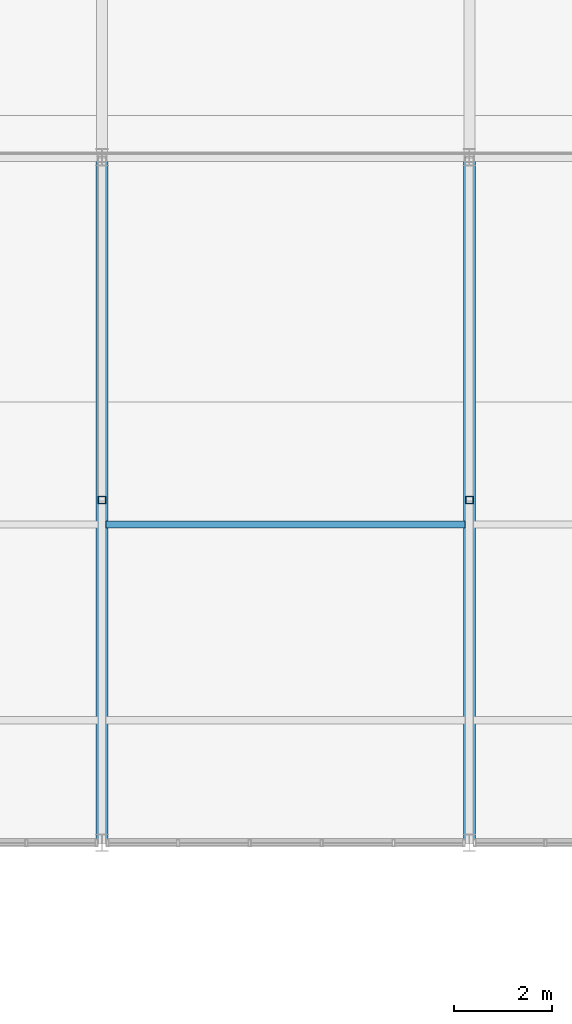
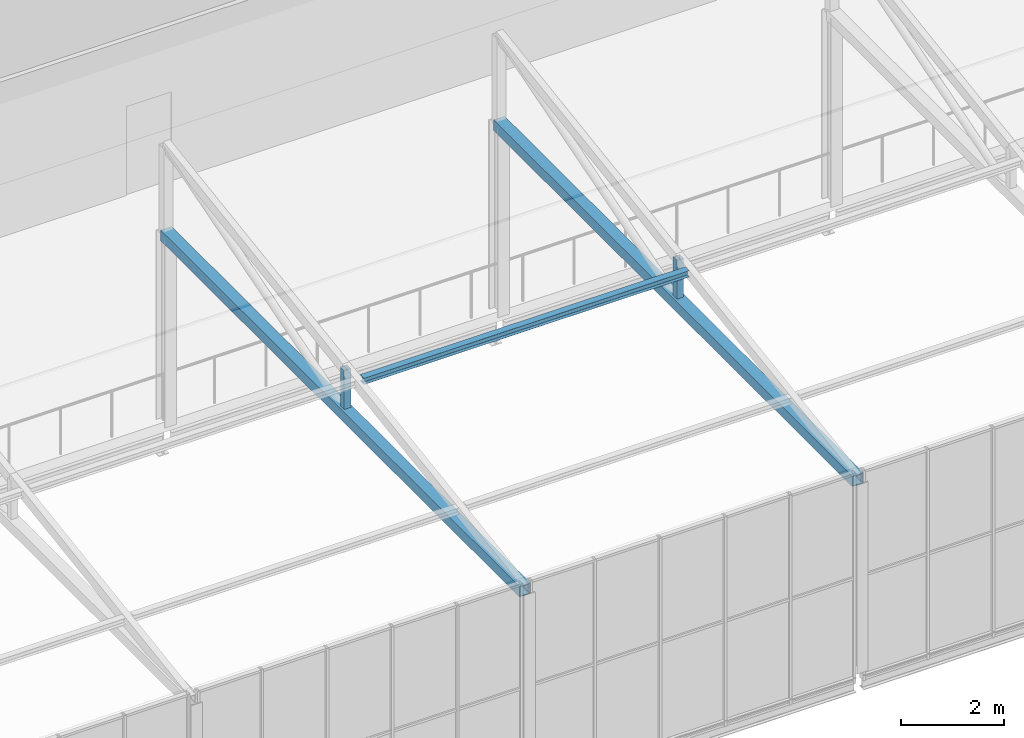
# One storey, part 36 of 104: 4 members, 1 beam.
"""IFC4 building model written with IfcOpenShell, lengths in metres."""

from ifc_helpers import new_model, si_unit, direction, frame, origin, origin_2d, place, context, subcontext, project, spatial, hollow_rectangle, i_section, extrude, material, material_profile, profile_set, type_object, element, save


model = new_model("IFC4")

# Units and contexts
model_context = context("Model", 3, precision=1e-05, world=origin(), true_north=direction((0.0, 1.0)))
body_context = subcontext(model_context, "Body", "Model", "MODEL_VIEW")
ifc_project = project(units=[si_unit("LENGTHUNIT", "METRE"), si_unit("AREAUNIT", "SQUARE_METRE"), si_unit("VOLUMEUNIT", "CUBIC_METRE"), si_unit("PLANEANGLEUNIT", "RADIAN"), si_unit("MASSUNIT", "GRAM", prefix="KILO")], contexts=[model_context])

# Site, building, storey
site_placement = place(None, origin())
site = spatial("IfcSite", under=ifc_project, at=site_placement, CompositionType="ELEMENT")
building_placement = place(site_placement, origin())
building = spatial("IfcBuilding", under=site, at=building_placement, Name="Solvenia Promenade Tram Depot", CompositionType="ELEMENT")
storey_placement = place(building_placement, frame((0.0, 0.0, 9.0)))
storey = spatial("IfcBuildingStorey", under=building, at=storey_placement, Name="L02", CompositionType="ELEMENT", Elevation=9.0)

# Members
ifc_material_1 = material(Name="Structural steel ASTM A500 Gr. C", Category="steel")
ifc_material_profile_1 = material_profile(ifc_material_1, hollow_rectangle(XDim=0.25, YDim=0.25, WallThickness=0.010009765625, at=origin_2d()), Name="HSS250x250x10", Category="steel")
ifc_profile_set_1 = profile_set([ifc_material_profile_1], Name="Structural steel ASTM A500 Gr. C")
member_type_1 = type_object("IfcMemberType", Name="Chord-HSS250x250x10", PredefinedType="CHORD", material=ifc_profile_set_1)
for number, where, z_axis, x_axis, name in (
    (1, (120.0, 24.0, 4.47998046875), (0.0, 1.0, 0.0), (-1.0, 0.0, 0.0), "Crane Hall Truss Bottom Tie 03"),
    (2, (127.5, 24.0, 4.47998046875), (0.0, 1.0, 0.0), (-1.0, 0.0, 0.0), "Crane Hall Truss Bottom Tie 04"),
):
    element("IfcMember", number, at=place(storey_placement, frame(where, z_axis=z_axis, x_axis=x_axis)), inside=storey, type_object=member_type_1, Name=name, PredefinedType="CHORD", context=body_context, shape_type="SweptSolid", body=[
        extrude(hollow_rectangle(XDim=0.25, YDim=0.25, WallThickness=0.010009765625, at=origin_2d()), origin(), (0.0, 0.0, 1.0), 14.0),
    ])
ifc_material_profile_2 = material_profile(ifc_material_1, hollow_rectangle(XDim=0.14990234375, YDim=0.14990234375, WallThickness=0.008056640625, at=origin_2d()), Name="HSS150x150x8", Category="steel")
ifc_profile_set_2 = profile_set([ifc_material_profile_2], Name="Structural steel ASTM A500 Gr. C")
member_type_2 = type_object("IfcMemberType", Name="Post-HSS150x150x8", PredefinedType="POST", material=ifc_profile_set_2)
for number, where, z_axis, x_axis, name in (
    (3, (120.0, 31.0, 4.47998046875), (0.0, 0.0, 1.0), (1.0, 0.0, 0.0), "Crane Hall Mid Web Post 03"),
    (4, (127.5, 31.0, 4.47998046875), (0.0, 0.0, 1.0), (1.0, 0.0, 0.0), "Crane Hall Mid Web Post 04"),
):
    element("IfcMember", number, at=place(storey_placement, frame(where, z_axis=z_axis, x_axis=x_axis)), inside=storey, type_object=member_type_2, Name=name, PredefinedType="POST", context=body_context, shape_type="SweptSolid", body=[
        extrude(hollow_rectangle(XDim=0.14990234375, YDim=0.14990234375, WallThickness=0.008056640625, at=origin_2d()), origin(), (0.0, 0.0, 1.0), 1.050048828125),
    ])

# Beam
ifc_material_2 = material(Name="Structural steel ASTM A992 Gr. 50", Category="steel")
ifc_material_profile_3 = material_profile(ifc_material_2, i_section(OverallWidth=0.152099609375, OverallDepth=0.152099609375, WebThickness=0.005859375, FlangeThickness=0.006591796875, FilletRadius=0.008056640625, at=origin_2d()), Name="W150x22", Category="steel")
ifc_profile_set_3 = profile_set([ifc_material_profile_3], Name="Structural steel ASTM A992 Gr. 50")
beam_type = type_object("IfcBeamType", Name="Purlin-W150x22", PredefinedType="USERDEFINED", material=ifc_profile_set_3)
beam_placement = place(storey_placement, frame((120.0849609375, 30.5, 5.52001953125), z_axis=(1.0, 0.0, 0.0), x_axis=(0.0, 1.0, 0.0)))
element("IfcBeam", 5, at=beam_placement, inside=storey, type_object=beam_type, Name="Clerestory Purlin 0206", ObjectType="PURLIN", PredefinedType="USERDEFINED", context=body_context, shape_type="SweptSolid", body=[
    extrude(i_section(OverallWidth=0.152099609375, OverallDepth=0.152099609375, WebThickness=0.005859375, FlangeThickness=0.006591796875, FilletRadius=0.008056640625, at=origin_2d()), origin(), (0.0, 0.0, 1.0), 7.330078125),
])

save(model, "model.ifc")
